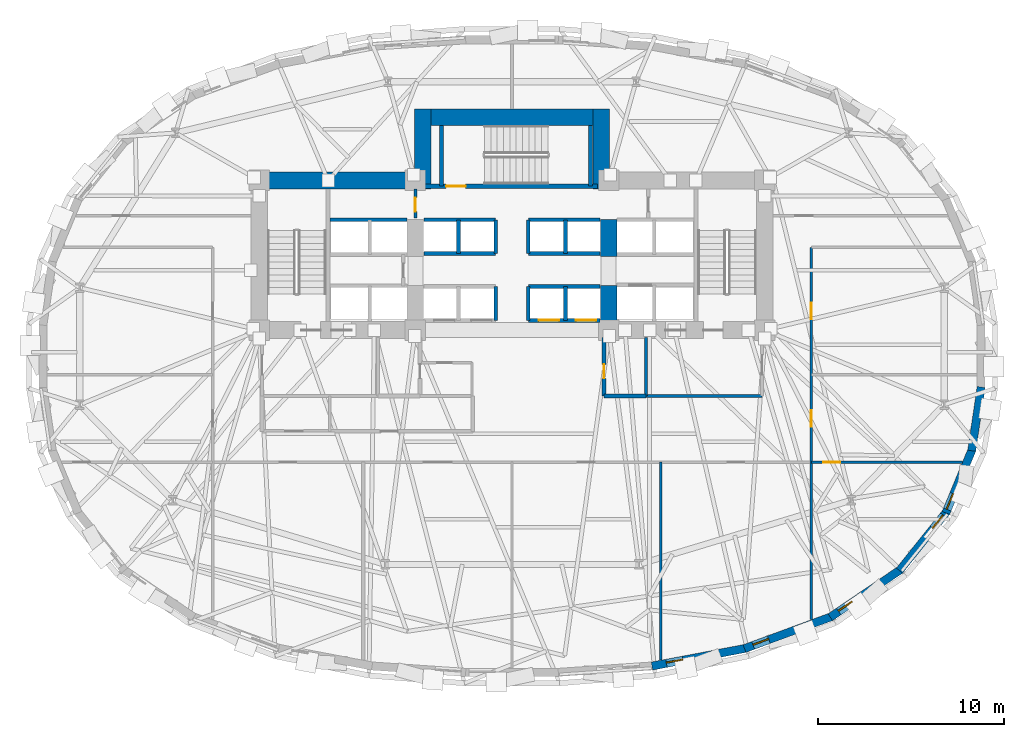
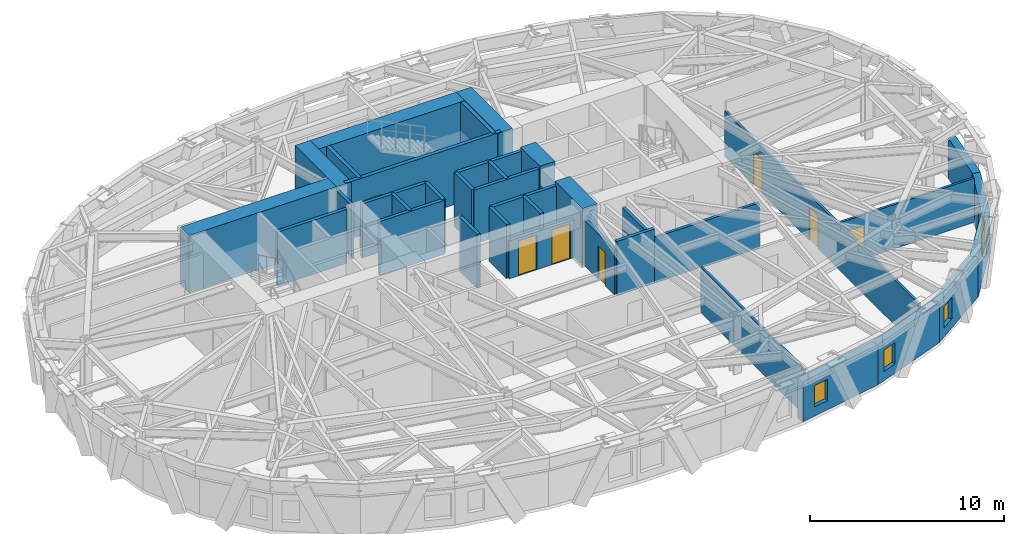
# One storey, part 7 of 13: 37 walls, 8 doors, 5 windows, 13 openings.
"""IFC4 building model written with IfcOpenShell, lengths in metres."""

from ifc_helpers import new_model, si_unit, direction, frame, frame_2d, origin, place, context, subcontext, project, spatial, rectangle, extrude, material, layer, layer_set, type_object, element, fill, save


model = new_model("IFC4")

# Units and contexts
model_context = context("Model", 3, precision=1e-05, world=origin(), true_north=direction((0.0, 1.0)))
body_context = subcontext(model_context, "Body", "Model", "MODEL_VIEW")
ifc_project = project(units=[si_unit("LENGTHUNIT", "METRE"), si_unit("AREAUNIT", "SQUARE_METRE"), si_unit("VOLUMEUNIT", "CUBIC_METRE"), si_unit("PLANEANGLEUNIT", "RADIAN"), si_unit("MASSUNIT", "GRAM", prefix="KILO")], contexts=[model_context])

# Site, building, storey
site_placement = place(None, origin())
site = spatial("IfcSite", under=ifc_project, at=site_placement, CompositionType="ELEMENT")
building_placement = place(site_placement, origin())
building = spatial("IfcBuilding", under=site, at=building_placement, Name="Keldmark Tower", CompositionType="ELEMENT")
storey_placement = place(building_placement, frame((0.0, 0.0, 30.60009765625)))
storey = spatial("IfcBuildingStorey", under=building, at=storey_placement, Name="L07", CompositionType="ELEMENT", Elevation=30.60009765625)

# Wall, openings, doors
ifc_material_1 = material(Name="Acoustic Double-Layer Gypsum Corridor Partition", Category="gypsum")
ifc_layer_1 = layer(ifc_material_1, 0.139892578125)
ifc_layer_set_1 = layer_set([ifc_layer_1], Name="Acoustic Double-Layer Gypsum Corridor Partition")
wall_type_1 = type_object("IfcWallType", Name="Acoustic Corridor Partition 140 mm", PredefinedType="PARTITIONING", material=ifc_layer_set_1)
wall_1_placement = place(storey_placement, frame((16.10009765625, -14.1748046875, 0.0), z_axis=(0.0, 0.0, 1.0), x_axis=(0.0, 1.0, 0.0)))
wall_1 = element("IfcWall", 1, at=wall_1_placement, inside=storey, type_object=wall_type_1, Name="L07 Acoustic Corridor Partition 140 mm COR-E", PredefinedType="PARTITIONING", context=body_context, shape_type="SweptSolid", body=[
    extrude(rectangle(XDim=20.02490234375, YDim=0.139892578125, at=frame_2d((10.012451171875, 0.0))), origin(), (0.0, 0.0, 1.0), 2.8408203125),
])
opening_1_placement = place(wall_1_placement, frame((10.375244140625, 0.0, 0.0)))
opening_1 = element("IfcOpeningElement", 2, at=opening_1_placement, cuts=wall_1, Name="Opening D-IN090", PredefinedType="OPENING", context=body_context, shape_type="SweptSolid", body=[
    extrude(rectangle(XDim=0.89990234375, YDim=2.10009765625, at=frame_2d((0.449951171875, 1.050048828125))), frame((0.0, 0.079833984375, 0.0), z_axis=(0.0, -1.0, 0.0), x_axis=(1.0, 0.0, 0.0)), (0.0, 0.0, 1.0), 0.159912109375),
])
opening_2_placement = place(wall_1_placement, frame((16.150390625, 0.0, 0.0)))
opening_2 = element("IfcOpeningElement", 3, at=opening_2_placement, cuts=wall_1, Name="Opening D-IN090", PredefinedType="OPENING", context=body_context, shape_type="SweptSolid", body=[
    extrude(rectangle(XDim=0.89990234375, YDim=2.10009765625, at=frame_2d((0.449951171875, 1.050048828125))), frame((0.0, 0.079833984375, 0.0), z_axis=(0.0, -1.0, 0.0), x_axis=(1.0, 0.0, 0.0)), (0.0, 0.0, 1.0), 0.159912109375),
])
ifc_material_2 = material(Name="Stained American White Oak Veneer", Category="wood")
door_type_1 = type_object("IfcDoorType", Name="Interior Door 900x2100", OperationType="NOTDEFINED", PredefinedType="DOOR", material=ifc_material_2)
door_1_placement = place(opening_1_placement, origin())
door_1 = element("IfcDoor", 4, at=door_1_placement, inside=storey, type_object=door_type_1, Name="L07 Interior Door 900x2100 D-ER-1-L07", OperationType="SINGLE_SWING_RIGHT", OverallHeight=2.10009765625, OverallWidth=0.89990234375, PredefinedType="DOOR", context=body_context, shape_type="SweptSolid", body=[
    extrude(rectangle(XDim=0.89990234375, YDim=2.10009765625, at=frame_2d((0.449951171875, 1.050048828125))), frame((0.0, 0.02490234375, 0.0), z_axis=(0.0, -1.0, 0.0), x_axis=(1.0, 0.0, 0.0)), (0.0, 0.0, 1.0), 0.050048828125),
])
fill(opening_1, door_1)
door_2_placement = place(opening_2_placement, origin())
door_2 = element("IfcDoor", 5, at=door_2_placement, inside=storey, type_object=door_type_1, Name="L07 Interior Door 900x2100 D-ER-2-L07", OperationType="SINGLE_SWING_LEFT", OverallHeight=2.10009765625, OverallWidth=0.89990234375, PredefinedType="DOOR", context=body_context, shape_type="SweptSolid", body=[
    extrude(rectangle(XDim=0.89990234375, YDim=2.10009765625, at=frame_2d((0.449951171875, 1.050048828125))), frame((0.0, 0.02490234375, 0.0), z_axis=(0.0, -1.0, 0.0), x_axis=(1.0, 0.0, 0.0)), (0.0, 0.0, 1.0), 0.050048828125),
])
fill(opening_2, door_2)

# Wall
ifc_material_3 = material(Name="Acoustic Gypsum Board Interior Partition", Category="gypsum")
ifc_layer_2 = layer(ifc_material_3, 0.1298828125)
ifc_layer_set_2 = layer_set([ifc_layer_2], Name="Acoustic Gypsum Board Interior Partition")
wall_type_2 = type_object("IfcWallType", Name="Interior Partition 130 mm", PredefinedType="PARTITIONING", material=ifc_layer_set_2)
wall_2_placement = place(storey_placement, frame((8.0, -16.355224609375, 0.0), z_axis=(0.0, 0.0, 1.0), x_axis=(0.0, 1.0, 0.0)))
element("IfcWall", 6, at=wall_2_placement, inside=storey, type_object=wall_type_2, Name="L07 Interior Partition 130 mm S-DIV-3", PredefinedType="PARTITIONING", context=body_context, shape_type="SweptSolid", body=[
    extrude(rectangle(XDim=10.6552734375, YDim=0.1298828125, at=frame_2d((5.32763671875, 0.0))), origin(), (0.0, 0.0, 1.0), 2.852783203125),
])

# Wall, opening, door
wall_3_placement = place(storey_placement, frame((16.10009765625, -5.699951171875, 0.0), z_axis=(0.0, 0.0, 1.0), x_axis=(1.0, 0.0, 0.0)))
wall_3 = element("IfcWall", 7, at=wall_3_placement, inside=storey, type_object=wall_type_2, Name="L07 Interior Partition 130 mm E-CAP-S", PredefinedType="PARTITIONING", context=body_context, shape_type="SweptSolid", body=[
    extrude(rectangle(XDim=8.127197265625, YDim=0.1298828125, at=frame_2d((4.0634765625, 0.0))), origin(), (0.0, 0.0, 1.0), 2.77880859375),
])
opening_3_placement = place(wall_3_placement, frame((0.64990234375, 0.0, 0.0)))
opening_3 = element("IfcOpeningElement", 8, at=opening_3_placement, cuts=wall_3, Name="Opening D-IN090", PredefinedType="OPENING", context=body_context, shape_type="SweptSolid", body=[
    extrude(rectangle(XDim=0.89990234375, YDim=2.10009765625, at=frame_2d((0.449951171875, 1.050048828125))), frame((0.0, 0.074951171875, 0.0), z_axis=(0.0, -1.0, 0.0), x_axis=(1.0, 0.0, 0.0)), (0.0, 0.0, 1.0), 0.14990234375),
])
door_3_placement = place(opening_3_placement, origin())
door_3 = element("IfcDoor", 9, at=door_3_placement, inside=storey, type_object=door_type_1, Name="L07 Interior Door 900x2100 D-ERSE-L07", OperationType="SINGLE_SWING_RIGHT", OverallHeight=2.10009765625, OverallWidth=0.89990234375, PredefinedType="DOOR", context=body_context, shape_type="SweptSolid", body=[
    extrude(rectangle(XDim=0.89990234375, YDim=2.10009765625, at=frame_2d((0.449951171875, 1.050048828125))), frame((0.0, 0.02490234375, 0.0), z_axis=(0.0, -1.0, 0.0), x_axis=(1.0, 0.0, 0.0)), (0.0, 0.0, 1.0), 0.050048828125),
])
fill(opening_3, door_3)

# Walls
ifc_material_4 = material(Name="Concrete C70/85", Category="concrete")
ifc_layer_3 = layer(ifc_material_4, 0.89990234375)
ifc_layer_set_3 = layer_set([ifc_layer_3], Name="Concrete C70/85")
wall_type_3 = type_object("IfcWallType", Name="Lower Core Shear Wall 900 mm", PredefinedType="SHEAR", material=ifc_layer_set_3)
wall_4_placement = place(storey_placement, frame((-14.050048828125, 9.449951171875, 0.0), z_axis=(0.0, 0.0, 1.0), x_axis=(1.0, 0.0, 0.0)))
element("IfcWall", 10, at=wall_4_placement, inside=storey, type_object=wall_type_3, Name="L07 West Core North Shear Wall", PredefinedType="SHEAR", context=body_context, shape_type="SweptSolid", body=[
    extrude(rectangle(XDim=9.699951171875, YDim=0.89990234375, at=frame_2d((4.85009765625, 0.0))), origin(), (0.0, 0.0, 1.0), 3.599853515625),
])
wall_5_placement = place(storey_placement, frame((5.199951171875, 0.949951171875, 0.0), z_axis=(0.0, 0.0, 1.0), x_axis=(0.0, 1.0, 0.0)))
element("IfcWall", 11, at=wall_5_placement, inside=storey, type_object=wall_type_3, Name="L07 East Core Inner Shear Pier South", PredefinedType="SHEAR", context=body_context, shape_type="SweptSolid", body=[
    extrude(rectangle(XDim=2.85009765625, YDim=0.89990234375, at=frame_2d((1.425048828125, 0.0))), origin(), (0.0, 0.0, 1.0), 3.599853515625),
])
wall_6_placement = place(storey_placement, frame((5.199951171875, 5.35009765625, 0.0), z_axis=(0.0, 0.0, 1.0), x_axis=(0.0, 1.0, 0.0)))
element("IfcWall", 12, at=wall_6_placement, inside=storey, type_object=wall_type_3, Name="L07 East Core Inner Shear Pier North", PredefinedType="SHEAR", context=body_context, shape_type="SweptSolid", body=[
    extrude(rectangle(XDim=2.0, YDim=0.89990234375, at=frame_2d((1.0, 0.0))), origin(), (0.0, 0.0, 1.0), 3.599853515625),
])
wall_7_placement = place(storey_placement, frame((-5.25, 12.85009765625, 0.0), z_axis=(0.0, 0.0, 1.0), x_axis=(1.0, 0.0, 0.0)))
element("IfcWall", 13, at=wall_7_placement, inside=storey, type_object=wall_type_3, Name="L07 North Core Shear Wall", PredefinedType="SHEAR", context=body_context, shape_type="SweptSolid", body=[
    extrude(rectangle(XDim=10.5, YDim=0.89990234375, at=frame_2d((5.25, 0.0))), origin(), (0.0, 0.0, 1.0), 3.599853515625),
])
for number, where, z_axis, x_axis, name in (
    (14, (-4.800048828125, 9.0, 0.0), (0.0, 0.0, 1.0), (0.0, 1.0, 0.0), "L07 North Core West Shear Wall"),
    (15, (4.800048828125, 9.0, 0.0), (0.0, 0.0, 1.0), (0.0, 1.0, 0.0), "L07 North Core East Shear Wall"),
):
    element("IfcWall", number, at=place(storey_placement, frame(where, z_axis=z_axis, x_axis=x_axis)), inside=storey, type_object=wall_type_3, Name=name, PredefinedType="SHEAR", context=body_context, shape_type="SweptSolid", body=[
        extrude(rectangle(XDim=4.300048828125, YDim=0.89990234375, at=frame_2d((2.14990234375, 0.0))), origin(), (0.0, 0.0, 1.0), 3.599853515625),
    ])
ifc_material_5 = material(Name="Type X Fire-Rated Gypsum Partition Assembly", Category="gypsum")
ifc_layer_4 = layer(ifc_material_5, 0.1650390625)
ifc_layer_set_4 = layer_set([ifc_layer_4], Name="Type X Fire-Rated Gypsum Partition Assembly")
wall_type_4 = type_object("IfcWallType", Name="Rated Partition 165 mm", PredefinedType="PARTITIONING", material=ifc_layer_set_4)
wall_8_placement = place(storey_placement, frame((7.199951171875, -2.14990234375, 0.0), z_axis=(0.0, 0.0, 1.0), x_axis=(1.0, 0.0, 0.0)))
element("IfcWall", 16, at=wall_8_placement, inside=storey, type_object=wall_type_4, Name="L07 Rated Partition 165 mm FSAE-E-S", PredefinedType="PARTITIONING", context=body_context, shape_type="SweptSolid", body=[
    extrude(rectangle(XDim=6.25, YDim=0.1650390625, at=frame_2d((3.125, 0.0))), origin(), (0.0, 0.0, 1.0), 2.852783203125),
])
wall_9_placement = place(storey_placement, frame((7.199951171875, -2.14990234375, 0.0), z_axis=(0.0, 0.0, 1.0), x_axis=(0.0, 1.0, 0.0)))
element("IfcWall", 17, at=wall_9_placement, inside=storey, type_object=wall_type_4, Name="L07 Rated Partition 165 mm FSAE-E-W", PredefinedType="PARTITIONING", context=body_context, shape_type="SweptSolid", body=[
    extrude(rectangle(XDim=3.14990234375, YDim=0.1650390625, at=frame_2d((1.574951171875, 0.0))), origin(), (0.0, 0.0, 1.0), 2.852783203125),
])

# Wall, opening, door
wall_10_placement = place(storey_placement, frame((-5.199951171875, 7.419921875, 0.0), z_axis=(0.0, 0.0, 1.0), x_axis=(0.0, 1.0, 0.0)))
wall_10 = element("IfcWall", 18, at=wall_10_placement, inside=storey, type_object=wall_type_4, Name="L07 Rated Partition 165 mm CS-NW-E", PredefinedType="PARTITIONING", context=body_context, shape_type="SweptSolid", body=[
    extrude(rectangle(XDim=1.580078125, YDim=0.1650390625, at=frame_2d((0.7900390625, 0.0))), origin(), (0.0, 0.0, 1.0), 3.39990234375),
])
opening_4_placement = place(wall_10_placement, frame((0.35009765625, 0.0, 0.0)))
opening_4 = element("IfcOpeningElement", 19, at=opening_4_placement, cuts=wall_10, Name="Opening D-RS075", PredefinedType="OPENING", context=body_context, shape_type="SweptSolid", body=[
    extrude(rectangle(XDim=0.75, YDim=2.10009765625, at=frame_2d((0.375, 1.050048828125))), frame((0.0, 0.092529296875, 0.0), z_axis=(0.0, -1.0, 0.0), x_axis=(1.0, 0.0, 0.0)), (0.0, 0.0, 1.0), 0.18505859375),
])
ifc_material_6 = material(Name="Galvanized Fire-Rated Access Leaf", Category="metal")
door_type_2 = type_object("IfcDoorType", Name="Riser Access Door 750x2100", OperationType="NOTDEFINED", PredefinedType="DOOR", material=ifc_material_6)
door_4_placement = place(opening_4_placement, origin())
door_4 = element("IfcDoor", 20, at=door_4_placement, inside=storey, type_object=door_type_2, Name="L07 Riser Access Door 750x2100 D-CSNW1-L07", OperationType="SINGLE_SWING_LEFT", OverallHeight=2.10009765625, OverallWidth=0.75, PredefinedType="DOOR", context=body_context, shape_type="SweptSolid", body=[
    extrude(rectangle(XDim=0.75, YDim=2.10009765625, at=frame_2d((0.375, 1.050048828125))), frame((0.0, 0.02490234375, 0.0), z_axis=(0.0, -1.0, 0.0), x_axis=(1.0, 0.0, 0.0)), (0.0, 0.0, 1.0), 0.050048828125),
])
fill(opening_4, door_4)

# Wall
ifc_material_7 = material(Name="Fire-Resistant Type X Gypsum Shaftliner Coreboard", Category="gypsum")
ifc_layer_5 = layer(ifc_material_7, 0.199951171875)
ifc_layer_set_5 = layer_set([ifc_layer_5], Name="Fire-Resistant Type X Gypsum Shaftliner Coreboard")
wall_type_5 = type_object("IfcWallType", Name="Shaft Wall 200 mm", PredefinedType="SOLIDWALL", material=ifc_layer_set_5)
wall_11_placement = place(storey_placement, frame((4.949951171875, -2.14990234375, 0.0), z_axis=(0.0, 0.0, 1.0), x_axis=(1.0, 0.0, 0.0)))
element("IfcWall", 21, at=wall_11_placement, inside=storey, type_object=wall_type_5, Name="L07 Shaft Wall 200 mm RIS-SE-S", PredefinedType="SOLIDWALL", context=body_context, shape_type="SweptSolid", body=[
    extrude(rectangle(XDim=2.25, YDim=0.199951171875, at=frame_2d((1.125, 0.0))), origin(), (0.0, 0.0, 1.0), 3.39990234375),
])

# Wall, opening, door
wall_12_placement = place(storey_placement, frame((4.949951171875, -2.14990234375, 0.0), z_axis=(0.0, 0.0, 1.0), x_axis=(0.0, 1.0, 0.0)))
wall_12 = element("IfcWall", 22, at=wall_12_placement, inside=storey, type_object=wall_type_5, Name="L07 Shaft Wall 200 mm RIS-SE-W", PredefinedType="SOLIDWALL", context=body_context, shape_type="SweptSolid", body=[
    extrude(rectangle(XDim=3.14990234375, YDim=0.199951171875, at=frame_2d((1.574951171875, 0.0))), origin(), (0.0, 0.0, 1.0), 2.852783203125),
])
opening_5_placement = place(wall_12_placement, frame((0.949951171875, 0.0, 0.0)))
opening_5 = element("IfcOpeningElement", 23, at=opening_5_placement, cuts=wall_12, Name="Opening D-RS075", PredefinedType="OPENING", context=body_context, shape_type="SweptSolid", body=[
    extrude(rectangle(XDim=0.75, YDim=2.10009765625, at=frame_2d((0.375, 1.050048828125))), frame((0.0, 0.10986328125, 0.0), z_axis=(0.0, -1.0, 0.0), x_axis=(1.0, 0.0, 0.0)), (0.0, 0.0, 1.0), 0.219970703125),
])
door_5_placement = place(opening_5_placement, origin())
door_5 = element("IfcDoor", 24, at=door_5_placement, inside=storey, type_object=door_type_2, Name="L07 Riser Access Door 750x2100 D-RISSE-L07", OperationType="SINGLE_SWING_LEFT", OverallHeight=2.10009765625, OverallWidth=0.75, PredefinedType="DOOR", context=body_context, shape_type="SweptSolid", body=[
    extrude(rectangle(XDim=0.75, YDim=2.10009765625, at=frame_2d((0.375, 1.050048828125))), frame((0.0, 0.02490234375, 0.0), z_axis=(0.0, -1.0, 0.0), x_axis=(1.0, 0.0, 0.0)), (0.0, 0.0, 1.0), 0.050048828125),
])
fill(opening_5, door_5)

# Wall
wall_13_placement = place(storey_placement, frame((-9.780029296875, 7.330078125, 0.0), z_axis=(0.0, 0.0, 1.0), x_axis=(1.0, 0.0, 0.0)))
element("IfcWall", 25, at=wall_13_placement, inside=storey, type_object=wall_type_5, Name="L07 Shaft Wall 200 mm HW-W-TOP", PredefinedType="SOLIDWALL", context=body_context, shape_type="SweptSolid", body=[
    extrude(rectangle(XDim=4.130126953125, YDim=0.199951171875, at=frame_2d((2.06494140625, 0.0))), origin(), (0.0, 0.0, 1.0), 3.39990234375),
])

# Wall, openings, doors
wall_14_placement = place(storey_placement, frame((0.8798828125, 1.919921875, 0.0), z_axis=(0.0, 0.0, 1.0), x_axis=(1.0, 0.0, 0.0)))
wall_14 = element("IfcWall", 26, at=wall_14_placement, inside=storey, type_object=wall_type_5, Name="L07 Shaft Wall 200 mm LOW-S-E", PredefinedType="SOLIDWALL", context=body_context, shape_type="SweptSolid", body=[
    extrude(rectangle(XDim=3.860107421875, YDim=0.199951171875, at=frame_2d((1.93017578125, 0.0))), origin(), (0.0, 0.0, 1.0), 2.389892578125),
])
opening_6_placement = place(wall_14_placement, frame((0.550048828125, 0.0, 0.0)))
opening_6 = element("IfcOpeningElement", 27, at=opening_6_placement, cuts=wall_14, Name="Opening LD-110", PredefinedType="OPENING", context=body_context, shape_type="SweptSolid", body=[
    extrude(rectangle(XDim=1.10009765625, YDim=2.199951171875, at=frame_2d((0.550048828125, 1.10009765625))), frame((0.0, 0.10986328125, 0.0), z_axis=(0.0, -1.0, 0.0), x_axis=(1.0, 0.0, 0.0)), (0.0, 0.0, 1.0), 0.219970703125),
])
opening_7_placement = place(wall_14_placement, frame((2.550048828125, 0.0, 0.0)))
opening_7 = element("IfcOpeningElement", 28, at=opening_7_placement, cuts=wall_14, Name="Opening LD-110", PredefinedType="OPENING", context=body_context, shape_type="SweptSolid", body=[
    extrude(rectangle(XDim=1.10009765625, YDim=2.199951171875, at=frame_2d((0.550048828125, 1.10009765625))), frame((0.0, 0.10986328125, 0.0), z_axis=(0.0, -1.0, 0.0), x_axis=(1.0, 0.0, 0.0)), (0.0, 0.0, 1.0), 0.219970703125),
])
ifc_material_8 = material(Name="Brushed Bronze Hoistway Sliding Leaf", Category="metal")
door_type_3 = type_object("IfcDoorType", Name="Lift Landing Sliding Door 1100x2200", OperationType="SLIDING_TO_LEFT", PredefinedType="DOOR", material=ifc_material_8)
door_6_placement = place(opening_6_placement, origin())
door_6 = element("IfcDoor", 29, at=door_6_placement, inside=storey, type_object=door_type_3, Name="L07 Lift Landing Sliding Door 1100x2200 LD-EL-L3-L07", OperationType="SLIDING_TO_LEFT", OverallHeight=2.199951171875, OverallWidth=1.10009765625, PredefinedType="DOOR", context=body_context, shape_type="SweptSolid", body=[
    extrude(rectangle(XDim=1.10009765625, YDim=2.199951171875, at=frame_2d((0.550048828125, 1.10009765625))), frame((0.0, 0.02490234375, 0.0), z_axis=(0.0, -1.0, 0.0), x_axis=(1.0, 0.0, 0.0)), (0.0, 0.0, 1.0), 0.050048828125),
])
fill(opening_6, door_6)
door_7_placement = place(opening_7_placement, origin())
door_7 = element("IfcDoor", 30, at=door_7_placement, inside=storey, type_object=door_type_3, Name="L07 Lift Landing Sliding Door 1100x2200 LD-EL-L4-L07", OperationType="SLIDING_TO_LEFT", OverallHeight=2.199951171875, OverallWidth=1.10009765625, PredefinedType="DOOR", context=body_context, shape_type="SweptSolid", body=[
    extrude(rectangle(XDim=1.10009765625, YDim=2.199951171875, at=frame_2d((0.550048828125, 1.10009765625))), frame((0.0, 0.02490234375, 0.0), z_axis=(0.0, -1.0, 0.0), x_axis=(1.0, 0.0, 0.0)), (0.0, 0.0, 1.0), 0.050048828125),
])
fill(opening_7, door_7)

# Walls
wall_15_placement = place(storey_placement, frame((0.8798828125, 3.739990234375, 0.0), z_axis=(0.0, 0.0, 1.0), x_axis=(1.0, 0.0, 0.0)))
element("IfcWall", 31, at=wall_15_placement, inside=storey, type_object=wall_type_5, Name="L07 Shaft Wall 200 mm LOW-N-E", PredefinedType="SOLIDWALL", context=body_context, shape_type="SweptSolid", body=[
    extrude(rectangle(XDim=3.860107421875, YDim=0.199951171875, at=frame_2d((1.93017578125, 0.0))), origin(), (0.0, 0.0, 1.0), 3.39990234375),
])
for number, where, z_axis, x_axis, name in (
    (32, (2.8798828125, 1.919921875, 0.0), (0.0, 0.0, 1.0), (0.0, 1.0, 0.0), "L07 Shaft Wall 200 mm LOW-M-E"),
    (33, (-0.8798828125, 1.919921875, 0.0), (0.0, 0.0, 1.0), (0.0, 1.0, 0.0), "L07 Shaft Wall 200 mm LOW-C-W"),
    (34, (0.8798828125, 1.919921875, 0.0), (0.0, 0.0, 1.0), (0.0, 1.0, 0.0), "L07 Shaft Wall 200 mm LOW-C-E"),
):
    element("IfcWall", number, at=place(storey_placement, frame(where, z_axis=z_axis, x_axis=x_axis)), inside=storey, type_object=wall_type_5, Name=name, PredefinedType="SOLIDWALL", context=body_context, shape_type="SweptSolid", body=[
        extrude(rectangle(XDim=1.820068359375, YDim=0.199951171875, at=frame_2d((0.91015625, 0.0))), origin(), (0.0, 0.0, 1.0), 3.39990234375),
    ])
for number, where, z_axis, x_axis, name in (
    (35, (-4.739990234375, 5.52001953125, 0.0), (0.0, 0.0, 1.0), (1.0, 0.0, 0.0), "L07 Shaft Wall 200 mm MID-S-W"),
    (36, (0.8798828125, 5.52001953125, 0.0), (0.0, 0.0, 1.0), (1.0, 0.0, 0.0), "L07 Shaft Wall 200 mm MID-S-E"),
    (37, (-4.739990234375, 7.330078125, 0.0), (0.0, 0.0, 1.0), (1.0, 0.0, 0.0), "L07 Shaft Wall 200 mm MID-N-W"),
    (38, (0.8798828125, 7.330078125, 0.0), (0.0, 0.0, 1.0), (1.0, 0.0, 0.0), "L07 Shaft Wall 200 mm MID-N-E"),
):
    element("IfcWall", number, at=place(storey_placement, frame(where, z_axis=z_axis, x_axis=x_axis)), inside=storey, type_object=wall_type_5, Name=name, PredefinedType="SOLIDWALL", context=body_context, shape_type="SweptSolid", body=[
        extrude(rectangle(XDim=3.860107421875, YDim=0.199951171875, at=frame_2d((1.93017578125, 0.0))), origin(), (0.0, 0.0, 1.0), 3.39990234375),
    ])
for number, where, z_axis, x_axis, name in (
    (39, (-2.8798828125, 5.52001953125, 0.0), (0.0, 0.0, 1.0), (0.0, 1.0, 0.0), "L07 Shaft Wall 200 mm MID-M-W"),
    (40, (2.8798828125, 5.52001953125, 0.0), (0.0, 0.0, 1.0), (0.0, 1.0, 0.0), "L07 Shaft Wall 200 mm MID-M-E"),
    (41, (-0.8798828125, 5.52001953125, 0.0), (0.0, 0.0, 1.0), (0.0, 1.0, 0.0), "L07 Shaft Wall 200 mm MID-C-W"),
    (42, (0.8798828125, 5.52001953125, 0.0), (0.0, 0.0, 1.0), (0.0, 1.0, 0.0), "L07 Shaft Wall 200 mm MID-C-E"),
):
    element("IfcWall", number, at=place(storey_placement, frame(where, z_axis=z_axis, x_axis=x_axis)), inside=storey, type_object=wall_type_5, Name=name, PredefinedType="SOLIDWALL", context=body_context, shape_type="SweptSolid", body=[
        extrude(rectangle(XDim=1.81005859375, YDim=0.199951171875, at=frame_2d((0.905029296875, 0.0))), origin(), (0.0, 0.0, 1.0), 3.39990234375),
    ])

# Wall, opening, door
ifc_material_9 = material(Name="Concrete C50/60", Category="concrete")
ifc_layer_6 = layer(ifc_material_9, 0.219970703125)
ifc_layer_set_6 = layer_set([ifc_layer_6], Name="Concrete C50/60")
wall_type_6 = type_object("IfcWallType", Name="Stair Core Shear Wall 220 mm", PredefinedType="SHEAR", material=ifc_layer_set_6)
wall_16_placement = place(storey_placement, frame((-4.699951171875, 9.139892578125, 0.0), z_axis=(0.0, 0.0, 1.0), x_axis=(1.0, 0.0, 0.0)))
wall_16 = element("IfcWall", 43, at=wall_16_placement, inside=storey, type_object=wall_type_6, Name="L07 Central Stair Core South Shear Wall", PredefinedType="SHEAR", context=body_context, shape_type="SweptSolid", body=[
    extrude(rectangle(XDim=9.300048828125, YDim=0.219970703125, at=frame_2d((4.64990234375, 0.0))), origin(), (0.0, 0.0, 1.0), 3.599853515625),
])
opening_8_placement = place(wall_16_placement, frame((1.14990234375, 0.0, 0.0)))
opening_8 = element("IfcOpeningElement", 44, at=opening_8_placement, cuts=wall_16, Name="Opening D-ST105", PredefinedType="OPENING", context=body_context, shape_type="SweptSolid", body=[
    extrude(rectangle(XDim=1.050048828125, YDim=2.14990234375, at=frame_2d((0.52490234375, 1.074951171875))), frame((0.0, 0.119873046875, 0.0), z_axis=(0.0, -1.0, 0.0), x_axis=(1.0, 0.0, 0.0)), (0.0, 0.0, 1.0), 0.239990234375),
])
ifc_material_10 = material(Name="Hollow Metal Fire-Rated Door Assembly", Category="metal")
door_type_4 = type_object("IfcDoorType", Name="Stair Fire Door 1050x2150", OperationType="NOTDEFINED", PredefinedType="DOOR", material=ifc_material_10)
door_8_placement = place(opening_8_placement, origin())
door_8 = element("IfcDoor", 45, at=door_8_placement, inside=storey, type_object=door_type_4, Name="L07 Stair Fire Door 1050x2150 D-ST3-L07", OperationType="SINGLE_SWING_RIGHT", OverallHeight=2.14990234375, OverallWidth=1.050048828125, PredefinedType="DOOR", context=body_context, shape_type="SweptSolid", body=[
    extrude(rectangle(XDim=1.050048828125, YDim=2.14990234375, at=frame_2d((0.52490234375, 1.074951171875))), frame((0.0, 0.02490234375, 0.0), z_axis=(0.0, -1.0, 0.0), x_axis=(1.0, 0.0, 0.0)), (0.0, 0.0, 1.0), 0.050048828125),
])
fill(opening_8, door_8)

# Walls
for number, where, z_axis, x_axis, name in (
    (46, (-3.784912109375, 9.139892578125, 0.0), (0.0, 0.0, 1.0), (0.0, 1.0, 0.0), "L07 Central Stair Core West Shear Wall"),
    (47, (4.215087890625, 9.139892578125, 0.0), (0.0, 0.0, 1.0), (0.0, 1.0, 0.0), "L07 Central Stair Core East Shear Wall"),
):
    element("IfcWall", number, at=place(storey_placement, frame(where, z_axis=z_axis, x_axis=x_axis)), inside=storey, type_object=wall_type_6, Name=name, PredefinedType="SHEAR", context=body_context, shape_type="SweptSolid", body=[
        extrude(rectangle(XDim=3.260009765625, YDim=0.219970703125, at=frame_2d((1.6298828125, 0.0))), origin(), (0.0, 0.0, 1.0), 3.599853515625),
    ])

# Wall, opening, window
ifc_material_11 = material(Name="Ironspot Manganese Brick and Kasota Buff Limestone Spandrel Assembly", Category="masonry")
ifc_layer_7 = layer(ifc_material_11, 0.43994140625)
ifc_layer_set_7 = layer_set([ifc_layer_7], Name="Ironspot Manganese Brick and Kasota Buff Limestone Spandrel Assembly")
wall_type_7 = type_object("IfcWallType", Name="Tower Brick Pier and Spandrel Wall 440 mm", PredefinedType="STANDARD", material=ifc_layer_set_7)
wall_17_placement = place(storey_placement, frame((12.544677734375, -15.726318359375, 0.0), z_axis=(0.0, 0.0, 1.0), x_axis=(-0.982516391845, -0.186176098776, 0.0)))
wall_17 = element("IfcWall", 48, at=wall_17_placement, inside=storey, type_object=wall_type_7, Name="L07 Exterior Brick and Spandrel Wall 26", PredefinedType="STANDARD", context=body_context, shape_type="SweptSolid", body=[
    extrude(rectangle(XDim=5.1064453125, YDim=0.43994140625, at=frame_2d((2.55322265625, 0.0))), origin(), (0.0, 0.0, 1.0), 2.532958984375),
])
opening_9_placement = place(wall_17_placement, frame((3.4130859375, 0.0, 0.580078125)))
opening_9 = element("IfcOpeningElement", 49, at=opening_9_placement, cuts=wall_17, Name="Opening W-09", PredefinedType="OPENING", context=body_context, shape_type="SweptSolid", body=[
    extrude(rectangle(XDim=0.89990234375, YDim=1.35009765625, at=frame_2d((0.449951171875, 0.675048828125))), frame((0.0, 0.22998046875, 0.0), z_axis=(0.0, -1.0, 0.0), x_axis=(1.0, 0.0, 0.0)), (0.0, 0.0, 1.0), 0.4599609375),
])
ifc_material_12 = material(Name="Thermally Broken Anodized Aluminum and Triple Low-E Argon Glazing", Category="aluminium")
window_type = type_object("IfcWindowType", Name="Corner Pier Deep-Set Window 900x1350", PartitioningType="SINGLE_PANEL", PredefinedType="WINDOW", material=ifc_material_12)
window_1_placement = place(opening_9_placement, origin())
window_1 = element("IfcWindow", 50, at=window_1_placement, inside=storey, type_object=window_type, Name="L07 Deep-Set Window 26", OverallHeight=1.35009765625, OverallWidth=0.89990234375, PartitioningType="SINGLE_PANEL", PredefinedType="WINDOW", context=body_context, shape_type="SweptSolid", body=[
    extrude(rectangle(XDim=0.89990234375, YDim=1.35009765625, at=frame_2d((0.449951171875, 0.675048828125))), frame((0.0, -0.010009765625, 0.0), z_axis=(0.0, -1.0, 0.0), x_axis=(1.0, 0.0, 0.0)), (0.0, 0.0, 1.0), 0.06005859375),
])
fill(opening_9, window_1)

wall_18_placement = place(storey_placement, frame((17.172607421875, -14.02392578125, 0.0), z_axis=(0.0, 0.0, 1.0), x_axis=(-0.938710986641, -0.344705212552, 0.0)))
wall_18 = element("IfcWall", 51, at=wall_18_placement, inside=storey, type_object=wall_type_7, Name="L07 Exterior Brick and Spandrel Wall 27", PredefinedType="STANDARD", context=body_context, shape_type="SweptSolid", body=[
    extrude(rectangle(XDim=4.967041015625, YDim=0.43994140625, at=frame_2d((2.4833984375, 0.0))), origin(), (0.0, 0.0, 1.0), 2.52880859375),
])
opening_10_placement = place(wall_18_placement, frame((3.56982421875, 0.0, 0.580078125)))
opening_10 = element("IfcOpeningElement", 52, at=opening_10_placement, cuts=wall_18, Name="Opening W-09", PredefinedType="OPENING", context=body_context, shape_type="SweptSolid", body=[
    extrude(rectangle(XDim=0.89990234375, YDim=1.35009765625, at=frame_2d((0.449951171875, 0.675048828125))), frame((0.0, 0.22998046875, 0.0), z_axis=(0.0, -1.0, 0.0), x_axis=(1.0, 0.0, 0.0)), (0.0, 0.0, 1.0), 0.4599609375),
])
window_2_placement = place(opening_10_placement, origin())
window_2 = element("IfcWindow", 53, at=window_2_placement, inside=storey, type_object=window_type, Name="L07 Deep-Set Window 27", OverallHeight=1.35009765625, OverallWidth=0.89990234375, PartitioningType="SINGLE_PANEL", PredefinedType="WINDOW", context=body_context, shape_type="SweptSolid", body=[
    extrude(rectangle(XDim=0.89990234375, YDim=1.35009765625, at=frame_2d((0.449951171875, 0.675048828125))), frame((0.0, -0.010009765625, 0.0), z_axis=(0.0, -1.0, 0.0), x_axis=(1.0, 0.0, 0.0)), (0.0, 0.0, 1.0), 0.06005859375),
])
fill(opening_10, window_2)

wall_19_placement = place(storey_placement, frame((20.89404296875, -11.496337890625, 0.0), z_axis=(0.0, 0.0, 1.0), x_axis=(-0.828051238664, -0.560652429003, 0.0)))
wall_19 = element("IfcWall", 54, at=wall_19_placement, inside=storey, type_object=wall_type_7, Name="L07 Exterior Brick and Spandrel Wall 28", PredefinedType="STANDARD", context=body_context, shape_type="SweptSolid", body=[
    extrude(rectangle(XDim=4.551513671875, YDim=0.43994140625, at=frame_2d((2.27587890625, 0.0))), origin(), (0.0, 0.0, 1.0), 2.532958984375),
])
opening_11_placement = place(wall_19_placement, frame((3.106689453125, 0.0, 0.580078125)))
opening_11 = element("IfcOpeningElement", 55, at=opening_11_placement, cuts=wall_19, Name="Opening W-09", PredefinedType="OPENING", context=body_context, shape_type="SweptSolid", body=[
    extrude(rectangle(XDim=0.89990234375, YDim=1.35009765625, at=frame_2d((0.449951171875, 0.675048828125))), frame((0.0, 0.22998046875, 0.0), z_axis=(0.0, -1.0, 0.0), x_axis=(1.0, 0.0, 0.0)), (0.0, 0.0, 1.0), 0.4599609375),
])
window_3_placement = place(opening_11_placement, origin())
window_3 = element("IfcWindow", 56, at=window_3_placement, inside=storey, type_object=window_type, Name="L07 Deep-Set Window 28", OverallHeight=1.35009765625, OverallWidth=0.89990234375, PartitioningType="SINGLE_PANEL", PredefinedType="WINDOW", context=body_context, shape_type="SweptSolid", body=[
    extrude(rectangle(XDim=0.89990234375, YDim=1.35009765625, at=frame_2d((0.449951171875, 0.675048828125))), frame((0.0, -0.010009765625, 0.0), z_axis=(0.0, -1.0, 0.0), x_axis=(1.0, 0.0, 0.0)), (0.0, 0.0, 1.0), 0.06005859375),
])
fill(opening_11, window_3)

wall_20_placement = place(storey_placement, frame((23.37451171875, -8.384033203125, 0.0), z_axis=(0.0, 0.0, 1.0), x_axis=(-0.625180729177, -0.780480016314, 0.0)))
wall_20 = element("IfcWall", 57, at=wall_20_placement, inside=storey, type_object=wall_type_7, Name="L07 Exterior Brick and Spandrel Wall 29", PredefinedType="STANDARD", context=body_context, shape_type="SweptSolid", body=[
    extrude(rectangle(XDim=4.044921875, YDim=0.43994140625, at=frame_2d((2.0224609375, 0.0))), origin(), (0.0, 0.0, 1.0), 2.532958984375),
])
opening_12_placement = place(wall_20_placement, frame((0.25, 0.0, 0.580078125)))
opening_12 = element("IfcOpeningElement", 58, at=opening_12_placement, cuts=wall_20, Name="Opening W-09", PredefinedType="OPENING", context=body_context, shape_type="SweptSolid", body=[
    extrude(rectangle(XDim=0.89990234375, YDim=1.35009765625, at=frame_2d((0.449951171875, 0.675048828125))), frame((0.0, 0.22998046875, 0.0), z_axis=(0.0, -1.0, 0.0), x_axis=(1.0, 0.0, 0.0)), (0.0, 0.0, 1.0), 0.4599609375),
])
window_4_placement = place(opening_12_placement, origin())
window_4 = element("IfcWindow", 59, at=window_4_placement, inside=storey, type_object=window_type, Name="L07 Deep-Set Window 29", OverallHeight=1.35009765625, OverallWidth=0.89990234375, PartitioningType="SINGLE_PANEL", PredefinedType="WINDOW", context=body_context, shape_type="SweptSolid", body=[
    extrude(rectangle(XDim=0.89990234375, YDim=1.35009765625, at=frame_2d((0.449951171875, 0.675048828125))), frame((0.0, -0.010009765625, 0.0), z_axis=(0.0, -1.0, 0.0), x_axis=(1.0, 0.0, 0.0)), (0.0, 0.0, 1.0), 0.06005859375),
])
fill(opening_12, window_4)

wall_21_placement = place(storey_placement, frame((24.74658203125, -5.04052734375, 0.0), z_axis=(0.0, 0.0, 1.0), x_axis=(-0.381925438614, -0.92419313963, 0.0)))
wall_21 = element("IfcWall", 60, at=wall_21_placement, inside=storey, type_object=wall_type_7, Name="L07 Exterior Brick and Spandrel Wall 30", PredefinedType="STANDARD", context=body_context, shape_type="SweptSolid", body=[
    extrude(rectangle(XDim=3.675537109375, YDim=0.43994140625, at=frame_2d((1.837890625, 0.0))), origin(), (0.0, 0.0, 1.0), 2.532958984375),
])
opening_13_placement = place(wall_21_placement, frame((2.57568359375, 0.0, 0.419921875)))
opening_13 = element("IfcOpeningElement", 61, at=opening_13_placement, cuts=wall_21, Name="Opening W-09", PredefinedType="OPENING", context=body_context, shape_type="SweptSolid", body=[
    extrude(rectangle(XDim=0.89990234375, YDim=1.35009765625, at=frame_2d((0.449951171875, 0.675048828125))), frame((0.0, 0.22998046875, 0.0), z_axis=(0.0, -1.0, 0.0), x_axis=(1.0, 0.0, 0.0)), (0.0, 0.0, 1.0), 0.4599609375),
])
window_5_placement = place(opening_13_placement, origin())
window_5 = element("IfcWindow", 62, at=window_5_placement, inside=storey, type_object=window_type, Name="L07 Deep-Set Window 30", OverallHeight=1.35009765625, OverallWidth=0.89990234375, PartitioningType="SINGLE_PANEL", PredefinedType="WINDOW", context=body_context, shape_type="SweptSolid", body=[
    extrude(rectangle(XDim=0.89990234375, YDim=1.35009765625, at=frame_2d((0.449951171875, 0.675048828125))), frame((0.0, -0.010009765625, 0.0), z_axis=(0.0, -1.0, 0.0), x_axis=(1.0, 0.0, 0.0)), (0.0, 0.0, 1.0), 0.06005859375),
])
fill(opening_13, window_5)

# Wall
wall_22_placement = place(storey_placement, frame((25.24169921875, -1.66552734375, 0.0), z_axis=(0.0, 0.0, 1.0), x_axis=(-0.147003256829, -0.989136008081, 0.0)))
element("IfcWall", 63, at=wall_22_placement, inside=storey, type_object=wall_type_7, Name="L07 Exterior Brick and Spandrel Wall 31", PredefinedType="STANDARD", context=body_context, shape_type="SweptSolid", body=[
    extrude(rectangle(XDim=3.46435546875, YDim=0.43994140625, at=frame_2d((1.732177734375, 0.0))), origin(), (0.0, 0.0, 1.0), 2.532958984375),
])

save(model, "model.ifc")
